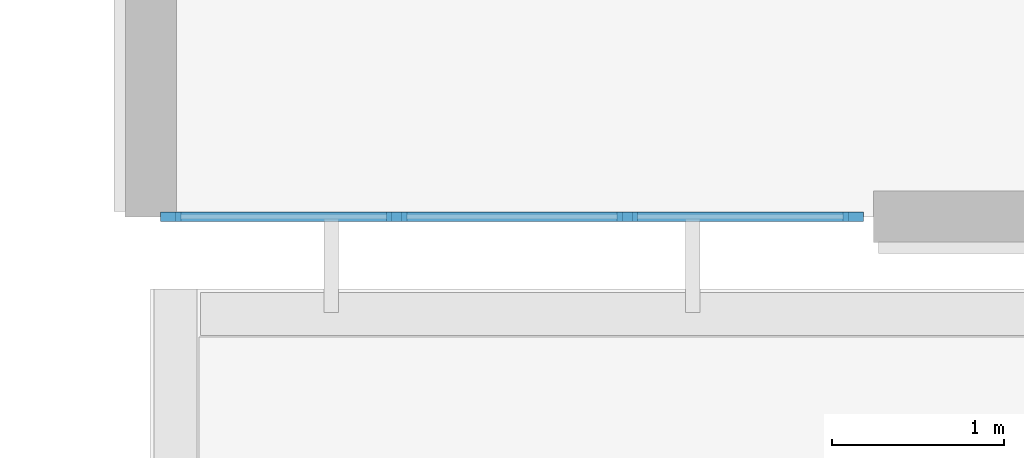
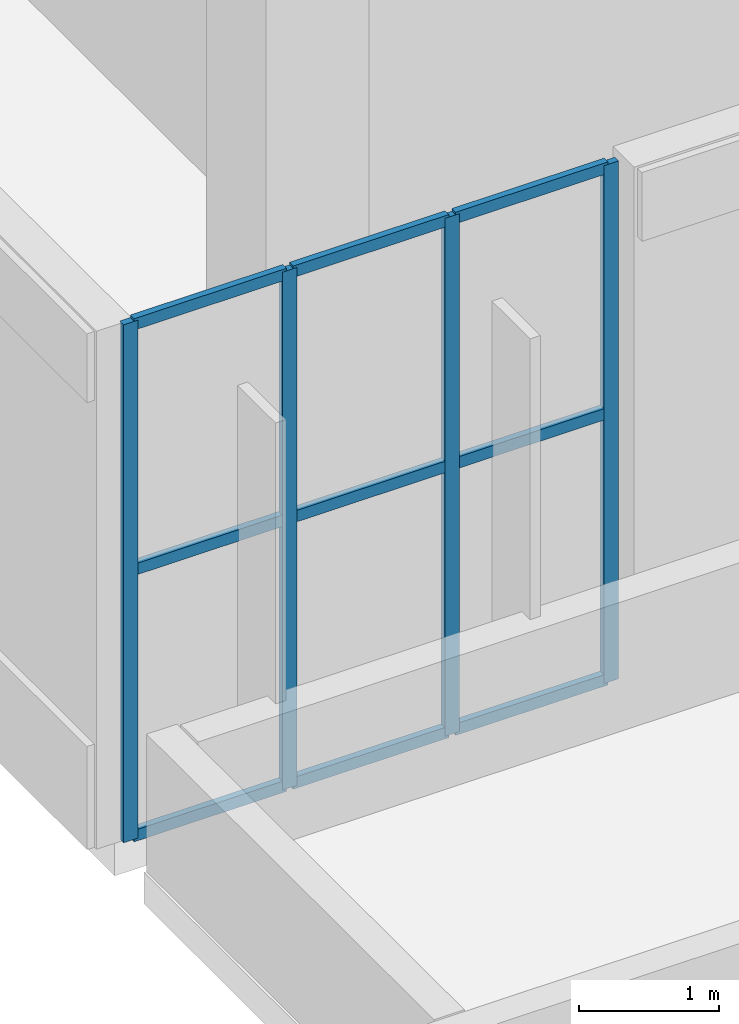
# One storey, part 12 of 67: 13 members, 1 element without a shape of its own.
"""IFC4 building model written with IfcOpenShell, lengths in metres."""

from ifc_helpers import new_model, si_unit, direction, frame, origin, origin_2d, place, context, subcontext, project, spatial, rectangle, extrude, material, layer, layer_set, material_profile, profile_set, type_object, element, aggregate, save


model = new_model("IFC4")

# Units and contexts
model_context = context("Model", 3, precision=1e-05, world=origin(), true_north=direction((0.0, 1.0)))
body_context = subcontext(model_context, "Body", "Model", "MODEL_VIEW")
ifc_project = project(units=[si_unit("LENGTHUNIT", "METRE"), si_unit("AREAUNIT", "SQUARE_METRE"), si_unit("VOLUMEUNIT", "CUBIC_METRE"), si_unit("PLANEANGLEUNIT", "RADIAN"), si_unit("MASSUNIT", "GRAM", prefix="KILO")], contexts=[model_context])

# Site, building, storey
site_placement = place(None, origin())
site = spatial("IfcSite", under=ifc_project, at=site_placement, CompositionType="ELEMENT")
building_placement = place(site_placement, origin())
building = spatial("IfcBuilding", under=site, at=building_placement, Name="Cendralis Terraced Arcade", CompositionType="ELEMENT")
storey_placement = place(building_placement, frame((0.0, 0.0, 15.0)))
storey = spatial("IfcBuildingStorey", under=building, at=storey_placement, Name="L03", CompositionType="ELEMENT", Elevation=15.0)

# Curtain wall, members
ifc_material = material(Name="Anodised aluminium EN AW-6063 T6", Category="aluminium")
ifc_layer = layer(ifc_material, 0.1201171875, Name="CW-STORE-B")
ifc_layer_set = layer_set([ifc_layer], Name="Anodised aluminium EN AW-6063 T6")
curtain_wall_type = type_object("IfcCurtainWallType", Name="CW-STORE-B", PredefinedType="USERDEFINED", material=ifc_layer_set)
curtain_wall_placement = place(storey_placement, origin())
curtain_wall = element("IfcCurtainWall", 1, at=curtain_wall_placement, inside=storey, type_object=curtain_wall_type, Name="Exterior Storefront Glazing CW-L03-0252", ObjectType="STOREFRONT GLAZING", PredefinedType="USERDEFINED")
ifc_material_profile_1 = material_profile(ifc_material, rectangle(XDim=0.054931640625, YDim=0.1201171875, at=origin_2d()), Name="ALU-MUL-55x120")
ifc_profile_set_1 = profile_set([ifc_material_profile_1], Name="Anodised aluminium EN AW-6063 T6")
member_type_1 = type_object("IfcMemberType", Name="CW-STORE-B-MUL", PredefinedType="MULLION", material=ifc_profile_set_1)
member_1_placement = place(storey_placement, frame((130.08251953125, 64.800048828125, 0.0), z_axis=(0.0, 0.0, 1.0), x_axis=(0.0, -1.0, 0.0)))
member_1 = element("IfcMember", 2, at=member_1_placement, type_object=member_type_1, Name="CW-S2 mullion 1", PredefinedType="MULLION", context=body_context, shape_type="SweptSolid", body=[
    extrude(rectangle(XDim=0.054931640625, YDim=0.1201171875, at=origin_2d()), origin(), (0.0, 0.0, 1.0), 4.52001953125),
])
member_2_placement = place(storey_placement, frame((128.77001953125, 64.800048828125, 0.0), z_axis=(0.0, 0.0, 1.0), x_axis=(0.0, -1.0, 0.0)))
member_2 = element("IfcMember", 3, at=member_2_placement, type_object=member_type_1, Name="CW-S2 mullion 2", PredefinedType="MULLION", context=body_context, shape_type="SweptSolid", body=[
    extrude(rectangle(XDim=0.054931640625, YDim=0.1201171875, at=origin_2d()), origin(), (0.0, 0.0, 1.0), 4.52001953125),
])
member_3_placement = place(storey_placement, frame((127.429931640625, 64.800048828125, 0.0), z_axis=(0.0, 0.0, 1.0), x_axis=(0.0, -1.0, 0.0)))
member_3 = element("IfcMember", 4, at=member_3_placement, type_object=member_type_1, Name="CW-S2 mullion 3", PredefinedType="MULLION", context=body_context, shape_type="SweptSolid", body=[
    extrude(rectangle(XDim=0.054931640625, YDim=0.1201171875, at=origin_2d()), origin(), (0.0, 0.0, 1.0), 4.52001953125),
])
member_4_placement = place(storey_placement, frame((126.117431640625, 64.800048828125, 0.0), z_axis=(0.0, 0.0, 1.0), x_axis=(0.0, -1.0, 0.0)))
member_4 = element("IfcMember", 5, at=member_4_placement, type_object=member_type_1, Name="CW-S2 mullion 4", PredefinedType="MULLION", context=body_context, shape_type="SweptSolid", body=[
    extrude(rectangle(XDim=0.054931640625, YDim=0.1201171875, at=origin_2d()), origin(), (0.0, 0.0, 1.0), 4.52001953125),
])
ifc_material_profile_2 = material_profile(ifc_material, rectangle(XDim=0.054931640625, YDim=0.10009765625, at=origin_2d()), Name="ALU-TRN-55x100")
ifc_profile_set_2 = profile_set([ifc_material_profile_2], Name="Anodised aluminium EN AW-6063 T6")
member_type_2 = type_object("IfcMemberType", Name="CW-STORE-B-TRN", PredefinedType="USERDEFINED", material=ifc_profile_set_2)
member_5_placement = place(storey_placement, frame((130.054931640625, 64.800048828125, 0.027587890625), z_axis=(-1.0, 0.0, 0.0), x_axis=(0.0, -1.0, 0.0)))
member_5 = element("IfcMember", 6, at=member_5_placement, type_object=member_type_2, Name="CW-S2 transom 1.1", ObjectType="TRANSOM", PredefinedType="USERDEFINED", context=body_context, shape_type="SweptSolid", body=[
    extrude(rectangle(XDim=0.054931640625, YDim=0.10009765625, at=origin_2d()), origin(), (0.0, 0.0, 1.0), 1.25732421875),
])
member_6_placement = place(storey_placement, frame((130.054931640625, 64.800048828125, 2.350341796875), z_axis=(-1.0, 0.0, 0.0), x_axis=(0.0, -1.0, 0.0)))
member_6 = element("IfcMember", 7, at=member_6_placement, type_object=member_type_2, Name="CW-S2 transom 1.2", ObjectType="TRANSOM", PredefinedType="USERDEFINED", context=body_context, shape_type="SweptSolid", body=[
    extrude(rectangle(XDim=0.054931640625, YDim=0.10009765625, at=origin_2d()), origin(), (0.0, 0.0, 1.0), 1.25732421875),
])
member_7_placement = place(storey_placement, frame((130.054931640625, 64.800048828125, 4.492431640625), z_axis=(-1.0, 0.0, 0.0), x_axis=(0.0, -1.0, 0.0)))
member_7 = element("IfcMember", 8, at=member_7_placement, type_object=member_type_2, Name="CW-S2 transom 1.3", ObjectType="TRANSOM", PredefinedType="USERDEFINED", context=body_context, shape_type="SweptSolid", body=[
    extrude(rectangle(XDim=0.054931640625, YDim=0.10009765625, at=origin_2d()), origin(), (0.0, 0.0, 1.0), 1.25732421875),
])
member_8_placement = place(storey_placement, frame((128.742431640625, 64.800048828125, 0.027587890625), z_axis=(-1.0, 0.0, 0.0), x_axis=(0.0, -1.0, 0.0)))
member_8 = element("IfcMember", 9, at=member_8_placement, type_object=member_type_2, Name="CW-S2 transom 2.1", ObjectType="TRANSOM", PredefinedType="USERDEFINED", context=body_context, shape_type="SweptSolid", body=[
    extrude(rectangle(XDim=0.054931640625, YDim=0.10009765625, at=origin_2d()), origin(), (0.0, 0.0, 1.0), 1.284912109375),
])
member_9_placement = place(storey_placement, frame((128.742431640625, 64.800048828125, 2.350341796875), z_axis=(-1.0, 0.0, 0.0), x_axis=(0.0, -1.0, 0.0)))
member_9 = element("IfcMember", 10, at=member_9_placement, type_object=member_type_2, Name="CW-S2 transom 2.2", ObjectType="TRANSOM", PredefinedType="USERDEFINED", context=body_context, shape_type="SweptSolid", body=[
    extrude(rectangle(XDim=0.054931640625, YDim=0.10009765625, at=origin_2d()), origin(), (0.0, 0.0, 1.0), 1.284912109375),
])
member_10_placement = place(storey_placement, frame((128.742431640625, 64.800048828125, 4.492431640625), z_axis=(-1.0, 0.0, 0.0), x_axis=(0.0, -1.0, 0.0)))
member_10 = element("IfcMember", 11, at=member_10_placement, type_object=member_type_2, Name="CW-S2 transom 2.3", ObjectType="TRANSOM", PredefinedType="USERDEFINED", context=body_context, shape_type="SweptSolid", body=[
    extrude(rectangle(XDim=0.054931640625, YDim=0.10009765625, at=origin_2d()), origin(), (0.0, 0.0, 1.0), 1.284912109375),
])
member_11_placement = place(storey_placement, frame((127.402587890625, 64.800048828125, 0.027587890625), z_axis=(-1.0, 0.0, 0.0), x_axis=(0.0, -1.0, 0.0)))
member_11 = element("IfcMember", 12, at=member_11_placement, type_object=member_type_2, Name="CW-S2 transom 3.1", ObjectType="TRANSOM", PredefinedType="USERDEFINED", context=body_context, shape_type="SweptSolid", body=[
    extrude(rectangle(XDim=0.054931640625, YDim=0.10009765625, at=origin_2d()), origin(), (0.0, 0.0, 1.0), 1.257568359375),
])
member_12_placement = place(storey_placement, frame((127.402587890625, 64.800048828125, 2.350341796875), z_axis=(-1.0, 0.0, 0.0), x_axis=(0.0, -1.0, 0.0)))
member_12 = element("IfcMember", 13, at=member_12_placement, type_object=member_type_2, Name="CW-S2 transom 3.2", ObjectType="TRANSOM", PredefinedType="USERDEFINED", context=body_context, shape_type="SweptSolid", body=[
    extrude(rectangle(XDim=0.054931640625, YDim=0.10009765625, at=origin_2d()), origin(), (0.0, 0.0, 1.0), 1.257568359375),
])
member_13_placement = place(storey_placement, frame((127.402587890625, 64.800048828125, 4.492431640625), z_axis=(-1.0, 0.0, 0.0), x_axis=(0.0, -1.0, 0.0)))
member_13 = element("IfcMember", 14, at=member_13_placement, type_object=member_type_2, Name="CW-S2 transom 3.3", ObjectType="TRANSOM", PredefinedType="USERDEFINED", context=body_context, shape_type="SweptSolid", body=[
    extrude(rectangle(XDim=0.054931640625, YDim=0.10009765625, at=origin_2d()), origin(), (0.0, 0.0, 1.0), 1.257568359375),
])
aggregate(curtain_wall, [member_1, member_2, member_3, member_4, member_5, member_6, member_7, member_8, member_9, member_10, member_11, member_12, member_13])

save(model, "model.ifc")
